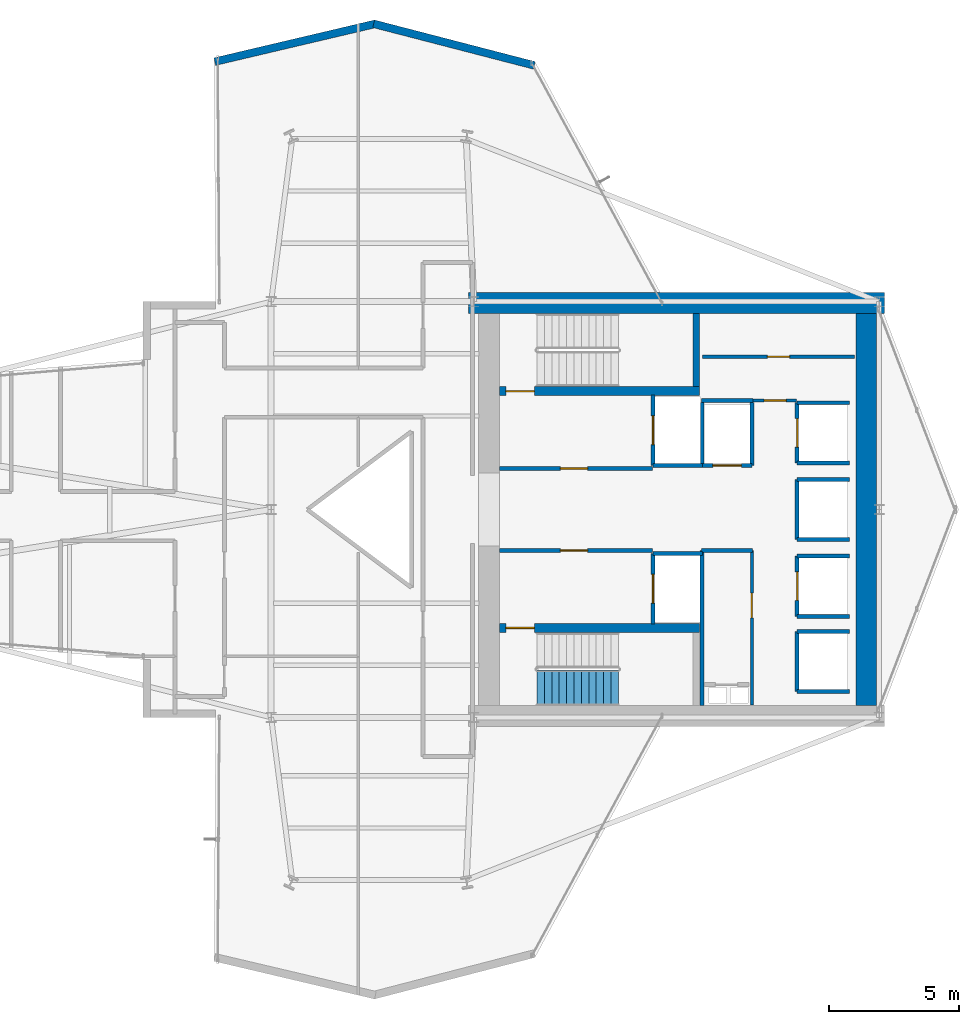
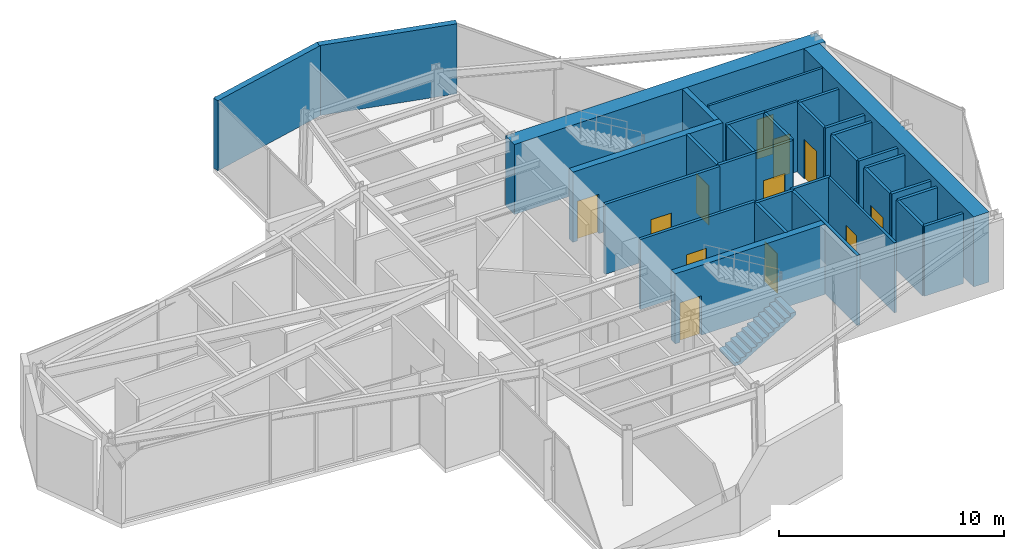
# One storey, part 24 of 26: 34 walls, 12 doors, 1 stair flight, 12 openings, 1 element without a shape of its own.
"""IFC4 building model written with IfcOpenShell, lengths in metres."""

from ifc_helpers import new_model, si_unit, direction, frame, frame_2d, origin, place, context, subcontext, project, spatial, polyline, rectangle, outline, extrude, material, layer, layer_set, type_object, element, fill, aggregate, save


model = new_model("IFC4")

# Units and contexts
model_context = context("Model", 3, precision=1e-05, world=origin(), true_north=direction((0.0, 1.0)))
body_context = subcontext(model_context, "Body", "Model", "MODEL_VIEW")
ifc_project = project(units=[si_unit("LENGTHUNIT", "METRE"), si_unit("AREAUNIT", "SQUARE_METRE"), si_unit("VOLUMEUNIT", "CUBIC_METRE"), si_unit("PLANEANGLEUNIT", "RADIAN"), si_unit("MASSUNIT", "GRAM", prefix="KILO")], contexts=[model_context])

# Site, building, storey
site_placement = place(None, origin())
site = spatial("IfcSite", under=ifc_project, at=site_placement, CompositionType="ELEMENT")
building_placement = place(site_placement, origin())
building = spatial("IfcBuilding", under=site, at=building_placement, Name="Veymaron Broadcast Tower", CompositionType="ELEMENT")
storey_placement = place(building_placement, frame((0.0, 0.0, 157.35009765625)))
storey = spatial("IfcBuildingStorey", under=building, at=storey_placement, Name="L36", CompositionType="ELEMENT", Elevation=157.35009765625)

# Walls
ifc_material_1 = material(Name="Precast concrete C40/50 with mineral-wool insulation", Category="concrete")
ifc_layer_1 = layer(ifc_material_1, 0.300048828125)
ifc_layer_set_1 = layer_set([ifc_layer_1], Name="Precast concrete C40/50 with mineral-wool insulation")
wall_type_1 = type_object("IfcWallType", Name="WALL-EXT-300", PredefinedType="STANDARD", material=ifc_layer_set_1)
wall_1_placement = place(storey_placement, frame((41.325439453125, 41.091796875, 0.0), z_axis=(0.0, 0.0, 1.0), x_axis=(-0.96801891639, 0.250877216005, 0.0)))
element("IfcWall", 1, at=wall_1_placement, inside=storey, type_object=wall_type_1, Name="L36 notched corner facade pier 6-1", PredefinedType="STANDARD", context=body_context, shape_type="SweptSolid", body=[
    extrude(rectangle(XDim=6.3837890625, YDim=0.300048828125, at=frame_2d((3.19189453125, 0.0))), origin(), (0.0, 0.0, 1.0), 3.809814453125),
])
wall_2_placement = place(storey_placement, frame((35.212890625, 42.6923828125, 0.0), z_axis=(0.0, 0.0, 1.0), x_axis=(-0.973355101444, -0.229302957882, 0.0)))
element("IfcWall", 2, at=wall_2_placement, inside=storey, type_object=wall_type_1, Name="L36 notched corner facade pier 7-1", PredefinedType="STANDARD", context=body_context, shape_type="SweptSolid", body=[
    extrude(rectangle(XDim=6.348876953125, YDim=0.300048828125, at=frame_2d((3.17431640625, 0.0))), origin(), (0.0, 0.0, 1.0), 3.809814453125),
])

# Wall, opening, door
ifc_material_2 = material(Name="Gypsum fireboard and steel stud framing", Category="steel")
ifc_layer_2 = layer(ifc_material_2, 0.14990234375)
ifc_layer_set_2 = layer_set([ifc_layer_2], Name="Gypsum fireboard and steel stud framing")
wall_type_2 = type_object("IfcWallType", Name="WALL-FIRE-150", PredefinedType="PARTITIONING", material=ifc_layer_set_2)
wall_3_placement = place(storey_placement, frame((39.97998046875, 25.574951171875, 0.0), z_axis=(0.0, 0.0, 1.0), x_axis=(1.0, 0.0, 0.0)))
wall_3 = element("IfcWall", 3, at=wall_3_placement, inside=storey, type_object=wall_type_2, Name="L36 partition IW-L36-FFLN-S", PredefinedType="PARTITIONING", context=body_context, shape_type="SweptSolid", body=[
    extrude(rectangle(XDim=5.89990234375, YDim=0.14990234375, at=frame_2d((2.949951171875, 0.0))), origin(), (0.0, 0.0, 1.0), 3.809814453125),
])
opening_1_placement = place(wall_3_placement, frame((2.35009765625, 0.0, 0.0)))
opening_1 = element("IfcOpeningElement", 4, at=opening_1_placement, cuts=wall_3, Name="Opening ID-FL1", PredefinedType="OPENING", context=body_context, shape_type="SweptSolid", body=[
    extrude(rectangle(XDim=1.050048828125, YDim=2.14990234375, at=frame_2d((0.52490234375, 1.074951171875))), frame((0.0, 0.0849609375, 0.0), z_axis=(0.0, -1.0, 0.0), x_axis=(1.0, 0.0, 0.0)), (0.0, 0.0, 1.0), 0.169921875),
])
ifc_material_3 = material(Name="Fire-rated painted hollow steel ASTM A653", Category="steel")
door_type_1 = type_object("IfcDoorType", Name="DOOR-FIRE-1050", OperationType="NOTDEFINED", PredefinedType="DOOR", material=ifc_material_3)
door_1_placement = place(opening_1_placement, origin())
door_1 = element("IfcDoor", 5, at=door_1_placement, inside=storey, type_object=door_type_1, Name="L36 door DR-L36-FFLN", OperationType="SINGLE_SWING_LEFT", OverallHeight=2.14990234375, OverallWidth=1.050048828125, PredefinedType="DOOR", context=body_context, shape_type="SweptSolid", body=[
    extrude(rectangle(XDim=1.050048828125, YDim=2.14990234375, at=frame_2d((0.52490234375, 1.074951171875))), frame((0.0, 0.02490234375, 0.0), z_axis=(0.0, -1.0, 0.0), x_axis=(1.0, 0.0, 0.0)), (0.0, 0.0, 1.0), 0.050048828125),
])
fill(opening_1, door_1)

wall_4_placement = place(storey_placement, frame((39.97998046875, 22.425048828125, 0.0), z_axis=(0.0, 0.0, 1.0), x_axis=(1.0, 0.0, 0.0)))
wall_4 = element("IfcWall", 6, at=wall_4_placement, inside=storey, type_object=wall_type_2, Name="L36 partition IW-L36-FFLS-N", PredefinedType="PARTITIONING", context=body_context, shape_type="SweptSolid", body=[
    extrude(rectangle(XDim=5.89990234375, YDim=0.14990234375, at=frame_2d((2.949951171875, 0.0))), origin(), (0.0, 0.0, 1.0), 3.809814453125),
])
opening_2_placement = place(wall_4_placement, frame((2.35009765625, 0.0, 0.0)))
opening_2 = element("IfcOpeningElement", 7, at=opening_2_placement, cuts=wall_4, Name="Opening ID-FL1", PredefinedType="OPENING", context=body_context, shape_type="SweptSolid", body=[
    extrude(rectangle(XDim=1.050048828125, YDim=2.14990234375, at=frame_2d((0.52490234375, 1.074951171875))), frame((0.0, 0.0849609375, 0.0), z_axis=(0.0, -1.0, 0.0), x_axis=(1.0, 0.0, 0.0)), (0.0, 0.0, 1.0), 0.169921875),
])
door_2_placement = place(opening_2_placement, frame((1.050048828125, 0.0, 0.0), z_axis=(0.0, 0.0, 1.0), x_axis=(-1.0, 0.0, 0.0)))
door_2 = element("IfcDoor", 8, at=door_2_placement, inside=storey, type_object=door_type_1, Name="L36 door DR-L36-FFLS", OperationType="SINGLE_SWING_RIGHT", OverallHeight=2.14990234375, OverallWidth=1.050048828125, PredefinedType="DOOR", context=body_context, shape_type="SweptSolid", body=[
    extrude(rectangle(XDim=1.050048828125, YDim=2.14990234375, at=frame_2d((0.52490234375, 1.074951171875))), frame((0.0, 0.02490234375, 0.0), z_axis=(0.0, -1.0, 0.0), x_axis=(1.0, 0.0, 0.0)), (0.0, 0.0, 1.0), 0.050048828125),
])
fill(opening_2, door_2)

wall_5_placement = place(storey_placement, frame((45.89501953125, 25.68994140625, 0.0), z_axis=(0.0, 0.0, 1.0), x_axis=(0.0, 1.0, 0.0)))
wall_5 = element("IfcWall", 9, at=wall_5_placement, inside=storey, type_object=wall_type_2, Name="L36 partition IW-L36-SHW-FFL-1", PredefinedType="PARTITIONING", context=body_context, shape_type="SweptSolid", body=[
    extrude(rectangle(XDim=2.719970703125, YDim=0.14990234375, at=frame_2d((1.35986328125, 0.0))), origin(), (0.0, 0.0, 1.0), 3.809814453125),
])
opening_3_placement = place(wall_5_placement, frame((0.81005859375, 0.0, 0.0)))
opening_3 = element("IfcOpeningElement", 10, at=opening_3_placement, cuts=wall_5, Name="Opening LD", PredefinedType="OPENING", context=body_context, shape_type="SweptSolid", body=[
    extrude(rectangle(XDim=1.10009765625, YDim=2.14990234375, at=frame_2d((0.550048828125, 1.074951171875))), frame((0.0, 0.0849609375, 0.0), z_axis=(0.0, -1.0, 0.0), x_axis=(1.0, 0.0, 0.0)), (0.0, 0.0, 1.0), 0.169921875),
])
ifc_material_4 = material(Name="Brushed stainless steel AISI 304", Category="steel")
door_type_2 = type_object("IfcDoorType", Name="DOOR-LIFT-1100", OperationType="DOUBLE_DOOR_SLIDING", PredefinedType="DOOR", material=ifc_material_4)
door_3_placement = place(opening_3_placement, frame((1.10009765625, 0.0, 0.0), z_axis=(0.0, 0.0, 1.0), x_axis=(-1.0, 0.0, 0.0)))
door_3 = element("IfcDoor", 11, at=door_3_placement, inside=storey, type_object=door_type_2, Name="L36 door LD-L36-FFL-1", OperationType="DOUBLE_DOOR_SLIDING", OverallHeight=2.14990234375, OverallWidth=1.10009765625, PredefinedType="DOOR", context=body_context, shape_type="SweptSolid", body=[
    extrude(rectangle(XDim=1.10009765625, YDim=2.14990234375, at=frame_2d((0.550048828125, 1.074951171875))), frame((0.0, 0.02490234375, 0.0), z_axis=(0.0, -1.0, 0.0), x_axis=(1.0, 0.0, 0.0)), (0.0, 0.0, 1.0), 0.050048828125),
])
fill(opening_3, door_3)

# Wall
wall_6_placement = place(storey_placement, frame((45.89501953125, 25.68994140625, 0.0), z_axis=(0.0, 0.0, 1.0), x_axis=(1.0, 0.0, 0.0)))
element("IfcWall", 12, at=wall_6_placement, inside=storey, type_object=wall_type_2, Name="L36 partition IW-L36-SHS-FFL-1", PredefinedType="PARTITIONING", context=body_context, shape_type="SweptSolid", body=[
    extrude(rectangle(XDim=1.9150390625, YDim=0.14990234375, at=frame_2d((0.95751953125, 0.0))), origin(), (0.0, 0.0, 1.0), 3.809814453125),
])

# Wall, opening, door
wall_7_placement = place(storey_placement, frame((45.89501953125, 19.590087890625, 0.0), z_axis=(0.0, 0.0, 1.0), x_axis=(0.0, 1.0, 0.0)))
wall_7 = element("IfcWall", 13, at=wall_7_placement, inside=storey, type_object=wall_type_2, Name="L36 partition IW-L36-SHW-FFL-2", PredefinedType="PARTITIONING", context=body_context, shape_type="SweptSolid", body=[
    extrude(rectangle(XDim=2.719970703125, YDim=0.14990234375, at=frame_2d((1.35986328125, 0.0))), origin(), (0.0, 0.0, 1.0), 3.809814453125),
])
opening_4_placement = place(wall_7_placement, frame((0.81005859375, 0.0, 0.0)))
opening_4 = element("IfcOpeningElement", 14, at=opening_4_placement, cuts=wall_7, Name="Opening LD", PredefinedType="OPENING", context=body_context, shape_type="SweptSolid", body=[
    extrude(rectangle(XDim=1.10009765625, YDim=2.14990234375, at=frame_2d((0.550048828125, 1.074951171875))), frame((0.0, 0.0849609375, 0.0), z_axis=(0.0, -1.0, 0.0), x_axis=(1.0, 0.0, 0.0)), (0.0, 0.0, 1.0), 0.169921875),
])
door_4_placement = place(opening_4_placement, frame((1.10009765625, 0.0, 0.0), z_axis=(0.0, 0.0, 1.0), x_axis=(-1.0, 0.0, 0.0)))
door_4 = element("IfcDoor", 15, at=door_4_placement, inside=storey, type_object=door_type_2, Name="L36 door LD-L36-FFL-2", OperationType="DOUBLE_DOOR_SLIDING", OverallHeight=2.14990234375, OverallWidth=1.10009765625, PredefinedType="DOOR", context=body_context, shape_type="SweptSolid", body=[
    extrude(rectangle(XDim=1.10009765625, YDim=2.14990234375, at=frame_2d((0.550048828125, 1.074951171875))), frame((0.0, 0.02490234375, 0.0), z_axis=(0.0, -1.0, 0.0), x_axis=(1.0, 0.0, 0.0)), (0.0, 0.0, 1.0), 0.050048828125),
])
fill(opening_4, door_4)

# Wall
wall_8_placement = place(storey_placement, frame((45.89501953125, 22.31005859375, 0.0), z_axis=(0.0, 0.0, 1.0), x_axis=(1.0, 0.0, 0.0)))
element("IfcWall", 16, at=wall_8_placement, inside=storey, type_object=wall_type_2, Name="L36 partition IW-L36-SHN-FFL-2", PredefinedType="PARTITIONING", context=body_context, shape_type="SweptSolid", body=[
    extrude(rectangle(XDim=1.9150390625, YDim=0.14990234375, at=frame_2d((0.95751953125, 0.0))), origin(), (0.0, 0.0, 1.0), 3.809814453125),
])

# Wall, opening, door
wall_9_placement = place(storey_placement, frame((47.7900390625, 25.695068359375, 0.0), z_axis=(0.0, 0.0, 1.0), x_axis=(1.0, 0.0, 0.0)))
wall_9 = element("IfcWall", 17, at=wall_9_placement, inside=storey, type_object=wall_type_2, Name="L36 partition IW-L36-SHS-SL-1", PredefinedType="PARTITIONING", context=body_context, shape_type="SweptSolid", body=[
    extrude(rectangle(XDim=1.919921875, YDim=0.14990234375, at=frame_2d((0.9599609375, 0.0))), origin(), (0.0, 0.0, 1.0), 3.809814453125),
])
opening_5_placement = place(wall_9_placement, frame((0.409912109375, 0.0, 0.0)))
opening_5 = element("IfcOpeningElement", 18, at=opening_5_placement, cuts=wall_9, Name="Opening LD", PredefinedType="OPENING", context=body_context, shape_type="SweptSolid", body=[
    extrude(rectangle(XDim=1.10009765625, YDim=2.14990234375, at=frame_2d((0.550048828125, 1.074951171875))), frame((0.0, 0.0849609375, 0.0), z_axis=(0.0, -1.0, 0.0), x_axis=(1.0, 0.0, 0.0)), (0.0, 0.0, 1.0), 0.169921875),
])
door_5_placement = place(opening_5_placement, frame((1.10009765625, 0.0, 0.0), z_axis=(0.0, 0.0, 1.0), x_axis=(-1.0, 0.0, 0.0)))
door_5 = element("IfcDoor", 19, at=door_5_placement, inside=storey, type_object=door_type_2, Name="L36 door LD-L36-SL-1", OperationType="DOUBLE_DOOR_SLIDING", OverallHeight=2.14990234375, OverallWidth=1.10009765625, PredefinedType="DOOR", context=body_context, shape_type="SweptSolid", body=[
    extrude(rectangle(XDim=1.10009765625, YDim=2.14990234375, at=frame_2d((0.550048828125, 1.074951171875))), frame((0.0, 0.02490234375, 0.0), z_axis=(0.0, -1.0, 0.0), x_axis=(1.0, 0.0, 0.0)), (0.0, 0.0, 1.0), 0.050048828125),
])
fill(opening_5, door_5)

# Walls
for number, where, z_axis, x_axis, name in (
    (20, (47.7900390625, 25.695068359375, 0.0), (0.0, 0.0, 1.0), (0.0, 1.0, 0.0), "L36 partition IW-L36-SHW-SL-1"),
    (21, (49.7099609375, 25.695068359375, 0.0), (0.0, 0.0, 1.0), (0.0, 1.0, 0.0), "L36 partition IW-L36-SHE-SL-1"),
):
    element("IfcWall", number, at=place(storey_placement, frame(where, z_axis=z_axis, x_axis=x_axis)), inside=storey, type_object=wall_type_2, Name=name, PredefinedType="PARTITIONING", context=body_context, shape_type="SweptSolid", body=[
        extrude(rectangle(XDim=2.4150390625, YDim=0.14990234375, at=frame_2d((1.20751953125, 0.0))), origin(), (0.0, 0.0, 1.0), 3.809814453125),
    ])

# Wall, opening, door
wall_10_placement = place(storey_placement, frame((51.445068359375, 25.7900390625, 0.0), z_axis=(0.0, 0.0, 1.0), x_axis=(0.0, 1.0, 0.0)))
wall_10 = element("IfcWall", 22, at=wall_10_placement, inside=storey, type_object=wall_type_2, Name="L36 partition IW-L36-SHW-PM1", PredefinedType="PARTITIONING", context=body_context, shape_type="SweptSolid", body=[
    extrude(rectangle(XDim=2.320068359375, YDim=0.14990234375, at=frame_2d((1.16015625, 0.0))), origin(), (0.0, 0.0, 1.0), 3.809814453125),
])
opening_6_placement = place(wall_10_placement, frame((0.610107421875, 0.0, 0.0)))
opening_6 = element("IfcOpeningElement", 23, at=opening_6_placement, cuts=wall_10, Name="Opening LD", PredefinedType="OPENING", context=body_context, shape_type="SweptSolid", body=[
    extrude(rectangle(XDim=1.10009765625, YDim=2.14990234375, at=frame_2d((0.550048828125, 1.074951171875))), frame((0.0, 0.0849609375, 0.0), z_axis=(0.0, -1.0, 0.0), x_axis=(1.0, 0.0, 0.0)), (0.0, 0.0, 1.0), 0.169921875),
])
door_6_placement = place(opening_6_placement, frame((1.10009765625, 0.0, 0.0), z_axis=(0.0, 0.0, 1.0), x_axis=(-1.0, 0.0, 0.0)))
door_6 = element("IfcDoor", 24, at=door_6_placement, inside=storey, type_object=door_type_2, Name="L36 door LD-L36-PM1", OperationType="DOUBLE_DOOR_SLIDING", OverallHeight=2.14990234375, OverallWidth=1.10009765625, PredefinedType="DOOR", context=body_context, shape_type="SweptSolid", body=[
    extrude(rectangle(XDim=1.10009765625, YDim=2.14990234375, at=frame_2d((0.550048828125, 1.074951171875))), frame((0.0, 0.02490234375, 0.0), z_axis=(0.0, -1.0, 0.0), x_axis=(1.0, 0.0, 0.0)), (0.0, 0.0, 1.0), 0.050048828125),
])
fill(opening_6, door_6)

# Walls
for number, where, z_axis, x_axis, name in (
    (25, (51.445068359375, 25.7900390625, 0.0), (0.0, 0.0, 1.0), (1.0, 0.0, 0.0), "L36 partition IW-L36-SHS-PM1"),
    (26, (51.445068359375, 28.110107421875, 0.0), (0.0, 0.0, 1.0), (1.0, 0.0, 0.0), "L36 partition IW-L36-SHN-PM1"),
):
    element("IfcWall", number, at=place(storey_placement, frame(where, z_axis=z_axis, x_axis=x_axis)), inside=storey, type_object=wall_type_2, Name=name, PredefinedType="PARTITIONING", context=body_context, shape_type="SweptSolid", body=[
        extrude(rectangle(XDim=2.014892578125, YDim=0.14990234375, at=frame_2d((1.00732421875, 0.0))), origin(), (0.0, 0.0, 1.0), 3.809814453125),
    ])

# Wall, opening, door
wall_11_placement = place(storey_placement, frame((51.445068359375, 19.889892578125, 0.0), z_axis=(0.0, 0.0, 1.0), x_axis=(0.0, 1.0, 0.0)))
wall_11 = element("IfcWall", 27, at=wall_11_placement, inside=storey, type_object=wall_type_2, Name="L36 partition IW-L36-SHW-PM2", PredefinedType="PARTITIONING", context=body_context, shape_type="SweptSolid", body=[
    extrude(rectangle(XDim=2.320068359375, YDim=0.14990234375, at=frame_2d((1.16015625, 0.0))), origin(), (0.0, 0.0, 1.0), 3.809814453125),
])
opening_7_placement = place(wall_11_placement, frame((0.610107421875, 0.0, 0.0)))
opening_7 = element("IfcOpeningElement", 28, at=opening_7_placement, cuts=wall_11, Name="Opening LD", PredefinedType="OPENING", context=body_context, shape_type="SweptSolid", body=[
    extrude(rectangle(XDim=1.10009765625, YDim=2.14990234375, at=frame_2d((0.550048828125, 1.074951171875))), frame((0.0, 0.0849609375, 0.0), z_axis=(0.0, -1.0, 0.0), x_axis=(1.0, 0.0, 0.0)), (0.0, 0.0, 1.0), 0.169921875),
])
door_7_placement = place(opening_7_placement, frame((1.10009765625, 0.0, 0.0), z_axis=(0.0, 0.0, 1.0), x_axis=(-1.0, 0.0, 0.0)))
door_7 = element("IfcDoor", 29, at=door_7_placement, inside=storey, type_object=door_type_2, Name="L36 door LD-L36-PM2", OperationType="DOUBLE_DOOR_SLIDING", OverallHeight=2.14990234375, OverallWidth=1.10009765625, PredefinedType="DOOR", context=body_context, shape_type="SweptSolid", body=[
    extrude(rectangle(XDim=1.10009765625, YDim=2.14990234375, at=frame_2d((0.550048828125, 1.074951171875))), frame((0.0, 0.02490234375, 0.0), z_axis=(0.0, -1.0, 0.0), x_axis=(1.0, 0.0, 0.0)), (0.0, 0.0, 1.0), 0.050048828125),
])
fill(opening_7, door_7)

# Walls
for number, where, z_axis, x_axis, name in (
    (30, (51.445068359375, 19.889892578125, 0.0), (0.0, 0.0, 1.0), (1.0, 0.0, 0.0), "L36 partition IW-L36-SHS-PM2"),
    (31, (51.445068359375, 22.2099609375, 0.0), (0.0, 0.0, 1.0), (1.0, 0.0, 0.0), "L36 partition IW-L36-SHN-PM2"),
):
    element("IfcWall", number, at=place(storey_placement, frame(where, z_axis=z_axis, x_axis=x_axis)), inside=storey, type_object=wall_type_2, Name=name, PredefinedType="PARTITIONING", context=body_context, shape_type="SweptSolid", body=[
        extrude(rectangle(XDim=2.014892578125, YDim=0.14990234375, at=frame_2d((1.00732421875, 0.0))), origin(), (0.0, 0.0, 1.0), 3.809814453125),
    ])
wall_12_placement = place(storey_placement, frame((51.445068359375, 22.840087890625, 0.0), z_axis=(0.0, 0.0, 1.0), x_axis=(0.0, 1.0, 0.0)))
element("IfcWall", 32, at=wall_12_placement, inside=storey, type_object=wall_type_2, Name="L36 partition IW-L36-SHW-PM3", PredefinedType="PARTITIONING", context=body_context, shape_type="SweptSolid", body=[
    extrude(rectangle(XDim=2.31982421875, YDim=0.14990234375, at=frame_2d((1.159912109375, 0.0))), origin(), (0.0, 0.0, 1.0), 3.809814453125),
])
for number, where, z_axis, x_axis, name in (
    (33, (51.445068359375, 22.840087890625, 0.0), (0.0, 0.0, 1.0), (1.0, 0.0, 0.0), "L36 partition IW-L36-SHS-PM3"),
    (34, (51.445068359375, 25.159912109375, 0.0), (0.0, 0.0, 1.0), (1.0, 0.0, 0.0), "L36 partition IW-L36-SHN-PM3"),
):
    element("IfcWall", number, at=place(storey_placement, frame(where, z_axis=z_axis, x_axis=x_axis)), inside=storey, type_object=wall_type_2, Name=name, PredefinedType="PARTITIONING", context=body_context, shape_type="SweptSolid", body=[
        extrude(rectangle(XDim=2.014892578125, YDim=0.14990234375, at=frame_2d((1.00732421875, 0.0))), origin(), (0.0, 0.0, 1.0), 3.809814453125),
    ])
wall_13_placement = place(storey_placement, frame((51.445068359375, 16.989990234375, 0.0), z_axis=(0.0, 0.0, 1.0), x_axis=(0.0, 1.0, 0.0)))
element("IfcWall", 35, at=wall_13_placement, inside=storey, type_object=wall_type_2, Name="L36 partition IW-L36-SHW-PH1", PredefinedType="PARTITIONING", context=body_context, shape_type="SweptSolid", body=[
    extrude(rectangle(XDim=2.320068359375, YDim=0.14990234375, at=frame_2d((1.16015625, 0.0))), origin(), (0.0, 0.0, 1.0), 3.809814453125),
])
for number, where, z_axis, x_axis, name in (
    (36, (51.445068359375, 16.989990234375, 0.0), (0.0, 0.0, 1.0), (1.0, 0.0, 0.0), "L36 partition IW-L36-SHS-PH1"),
    (37, (51.445068359375, 19.31005859375, 0.0), (0.0, 0.0, 1.0), (1.0, 0.0, 0.0), "L36 partition IW-L36-SHN-PH1"),
):
    element("IfcWall", number, at=place(storey_placement, frame(where, z_axis=z_axis, x_axis=x_axis)), inside=storey, type_object=wall_type_2, Name=name, PredefinedType="PARTITIONING", context=body_context, shape_type="SweptSolid", body=[
        extrude(rectangle(XDim=2.014892578125, YDim=0.14990234375, at=frame_2d((1.00732421875, 0.0))), origin(), (0.0, 0.0, 1.0), 3.809814453125),
    ])
wall_14_placement = place(storey_placement, frame((47.760009765625, 22.425048828125, 0.0), z_axis=(0.0, 0.0, 1.0), x_axis=(1.0, 0.0, 0.0)))
element("IfcWall", 38, at=wall_14_placement, inside=storey, type_object=wall_type_2, Name="L36 partition IW-L36-SM-N", PredefinedType="PARTITIONING", context=body_context, shape_type="SweptSolid", body=[
    extrude(rectangle(XDim=1.9599609375, YDim=0.14990234375, at=frame_2d((0.97998046875, 0.0))), origin(), (0.0, 0.0, 1.0), 3.809814453125),
])
wall_15_placement = place(storey_placement, frame((47.780029296875, 16.449951171875, 0.0), z_axis=(0.0, 0.0, 1.0), x_axis=(0.0, 1.0, 0.0)))
element("IfcWall", 39, at=wall_15_placement, inside=storey, type_object=wall_type_2, Name="L36 partition IW-L36-SM-W", PredefinedType="PARTITIONING", context=body_context, shape_type="SweptSolid", body=[
    extrude(rectangle(XDim=5.97509765625, YDim=0.14990234375, at=frame_2d((2.987548828125, 0.0))), origin(), (0.0, 0.0, 1.0), 3.809814453125),
])
wall_16_placement = place(storey_placement, frame((47.760009765625, 28.199951171875, 0.0), z_axis=(0.0, 0.0, 1.0), x_axis=(1.0, 0.0, 0.0)))
element("IfcWall", 40, at=wall_16_placement, inside=storey, type_object=wall_type_2, Name="L36 partition IW-L36-F1-SW", PredefinedType="PARTITIONING", context=body_context, shape_type="SweptSolid", body=[
    extrude(rectangle(XDim=1.989990234375, YDim=0.14990234375, at=frame_2d((0.9951171875, 0.0))), origin(), (0.0, 0.0, 1.0), 3.809814453125),
])

# Wall, opening, door
ifc_material_5 = material(Name="Acoustic gypsum board and galvanized stud", Category="gypsum")
ifc_layer_3 = layer(ifc_material_5, 0.1201171875)
ifc_layer_set_3 = layer_set([ifc_layer_3], Name="Acoustic gypsum board and galvanized stud")
wall_type_3 = type_object("IfcWallType", Name="WALL-PART-120", PredefinedType="PARTITIONING", material=ifc_layer_set_3)
wall_17_placement = place(storey_placement, frame((49.699951171875, 16.47998046875, 0.0), z_axis=(0.0, 0.0, 1.0), x_axis=(0.0, 1.0, 0.0)))
wall_17 = element("IfcWall", 41, at=wall_17_placement, inside=storey, type_object=wall_type_3, Name="L36 partition IW-L36-SM-E", PredefinedType="PARTITIONING", context=body_context, shape_type="SweptSolid", body=[
    extrude(rectangle(XDim=5.945068359375, YDim=0.1201171875, at=frame_2d((2.97265625, 0.0))), origin(), (0.0, 0.0, 1.0), 3.809814453125),
])
opening_8_placement = place(wall_17_placement, frame((3.35009765625, 0.0, 0.0)))
opening_8 = element("IfcOpeningElement", 42, at=opening_8_placement, cuts=wall_17, Name="Opening ID-RM1", PredefinedType="OPENING", context=body_context, shape_type="SweptSolid", body=[
    extrude(rectangle(XDim=0.949951171875, YDim=2.14990234375, at=frame_2d((0.47509765625, 1.074951171875))), frame((0.0, 0.070068359375, 0.0), z_axis=(0.0, -1.0, 0.0), x_axis=(1.0, 0.0, 0.0)), (0.0, 0.0, 1.0), 0.14013671875),
])
ifc_material_6 = material(Name="Acoustic solid-core European oak veneer timber", Category="wood")
door_type_3 = type_object("IfcDoorType", Name="DOOR-INT-950", OperationType="NOTDEFINED", PredefinedType="DOOR", material=ifc_material_6)
door_8_placement = place(opening_8_placement, frame((0.949951171875, 0.0, 0.0), z_axis=(0.0, 0.0, 1.0), x_axis=(-1.0, 0.0, 0.0)))
door_8 = element("IfcDoor", 43, at=door_8_placement, inside=storey, type_object=door_type_3, Name="L36 door DR-L36-AWC", OperationType="SINGLE_SWING_LEFT", OverallHeight=2.14990234375, OverallWidth=0.949951171875, PredefinedType="DOOR", context=body_context, shape_type="SweptSolid", body=[
    extrude(rectangle(XDim=0.949951171875, YDim=2.14990234375, at=frame_2d((0.47509765625, 1.074951171875))), frame((0.0, 0.02490234375, 0.0), z_axis=(0.0, -1.0, 0.0), x_axis=(1.0, 0.0, 0.0)), (0.0, 0.0, 1.0), 0.050048828125),
])
fill(opening_8, door_8)

wall_18_placement = place(storey_placement, frame((49.75, 28.199951171875, 0.0), z_axis=(0.0, 0.0, 1.0), x_axis=(1.0, 0.0, 0.0)))
wall_18 = element("IfcWall", 44, at=wall_18_placement, inside=storey, type_object=wall_type_3, Name="L36 partition IW-L36-F1-S", PredefinedType="PARTITIONING", context=body_context, shape_type="SweptSolid", body=[
    extrude(rectangle(XDim=1.669921875, YDim=0.1201171875, at=frame_2d((0.8349609375, 0.0))), origin(), (0.0, 0.0, 1.0), 3.809814453125),
])
opening_9_placement = place(wall_18_placement, frame((0.419921875, 0.0, 0.0)))
opening_9 = element("IfcOpeningElement", 45, at=opening_9_placement, cuts=wall_18, Name="Opening ID-WC1", PredefinedType="OPENING", context=body_context, shape_type="SweptSolid", body=[
    extrude(rectangle(XDim=0.85009765625, YDim=2.14990234375, at=frame_2d((0.425048828125, 1.074951171875))), frame((0.0, 0.070068359375, 0.0), z_axis=(0.0, -1.0, 0.0), x_axis=(1.0, 0.0, 0.0)), (0.0, 0.0, 1.0), 0.14013671875),
])
ifc_material_7 = material(Name="Moisture-resistant high-pressure laminate timber", Category="wood")
door_type_4 = type_object("IfcDoorType", Name="DOOR-INT-850", OperationType="NOTDEFINED", PredefinedType="DOOR", material=ifc_material_7)
door_9_placement = place(opening_9_placement, origin())
door_9 = element("IfcDoor", 46, at=door_9_placement, inside=storey, type_object=door_type_4, Name="L36 door DR-L36-F1A", OperationType="SINGLE_SWING_LEFT", OverallHeight=2.14990234375, OverallWidth=0.85009765625, PredefinedType="DOOR", context=body_context, shape_type="SweptSolid", body=[
    extrude(rectangle(XDim=0.85009765625, YDim=2.14990234375, at=frame_2d((0.425048828125, 1.074951171875))), frame((0.0, 0.02490234375, 0.0), z_axis=(0.0, -1.0, 0.0), x_axis=(1.0, 0.0, 0.0)), (0.0, 0.0, 1.0), 0.050048828125),
])
fill(opening_9, door_9)

wall_19_placement = place(storey_placement, frame((47.800048828125, 29.8798828125, 0.0), z_axis=(0.0, 0.0, 1.0), x_axis=(1.0, 0.0, 0.0)))
wall_19 = element("IfcWall", 47, at=wall_19_placement, inside=storey, type_object=wall_type_3, Name="L36 partition IW-L36-F1-MY", PredefinedType="PARTITIONING", context=body_context, shape_type="SweptSolid", body=[
    extrude(rectangle(XDim=5.85986328125, YDim=0.1201171875, at=frame_2d((2.929931640625, 0.0))), origin(), (0.0, 0.0, 1.0), 3.809814453125),
])
opening_10_placement = place(wall_19_placement, frame((2.5, 0.0, 0.0)))
opening_10 = element("IfcOpeningElement", 48, at=opening_10_placement, cuts=wall_19, Name="Opening ID-WC1", PredefinedType="OPENING", context=body_context, shape_type="SweptSolid", body=[
    extrude(rectangle(XDim=0.85009765625, YDim=2.14990234375, at=frame_2d((0.425048828125, 1.074951171875))), frame((0.0, 0.070068359375, 0.0), z_axis=(0.0, -1.0, 0.0), x_axis=(1.0, 0.0, 0.0)), (0.0, 0.0, 1.0), 0.14013671875),
])
door_10_placement = place(opening_10_placement, origin())
door_10 = element("IfcDoor", 49, at=door_10_placement, inside=storey, type_object=door_type_4, Name="L36 door DR-L36-F1B", OperationType="SINGLE_SWING_RIGHT", OverallHeight=2.14990234375, OverallWidth=0.85009765625, PredefinedType="DOOR", context=body_context, shape_type="SweptSolid", body=[
    extrude(rectangle(XDim=0.85009765625, YDim=2.14990234375, at=frame_2d((0.425048828125, 1.074951171875))), frame((0.0, 0.02490234375, 0.0), z_axis=(0.0, -1.0, 0.0), x_axis=(1.0, 0.0, 0.0)), (0.0, 0.0, 1.0), 0.050048828125),
])
fill(opening_10, door_10)

# Wall
ifc_material_8 = material(Name="Concrete C50/60", Category="concrete")
ifc_layer_4 = layer(ifc_material_8, 0.25)
ifc_layer_set_4 = layer_set([ifc_layer_4], Name="Concrete C50/60")
wall_type_4 = type_object("IfcWallType", Name="WALL-SHEAR-250", PredefinedType="SHEAR", material=ifc_layer_set_4)
wall_20_placement = place(storey_placement, frame((47.56494140625, 28.72998046875, 0.0), z_axis=(0.0, 0.0, 1.0), x_axis=(0.0, 1.0, 0.0)))
element("IfcWall", 50, at=wall_20_placement, inside=storey, type_object=wall_type_4, Name="L36 Core Wall north stair east shear", PredefinedType="SHEAR", context=body_context, shape_type="SweptSolid", body=[
    extrude(rectangle(XDim=2.820068359375, YDim=0.25, at=frame_2d((1.41015625, 0.0))), origin(), (0.0, 0.0, 1.0), 3.809814453125),
])

# Wall, opening, door
ifc_layer_5 = layer(ifc_material_8, 0.35009765625)
ifc_layer_set_5 = layer_set([ifc_layer_5], Name="Concrete C50/60")
wall_type_5 = type_object("IfcWallType", Name="WALL-SHEAR-350", PredefinedType="SHEAR", material=ifc_layer_set_5)
wall_21_placement = place(storey_placement, frame((39.97998046875, 28.554931640625, 0.0), z_axis=(0.0, 0.0, 1.0), x_axis=(1.0, 0.0, 0.0)))
wall_21 = element("IfcWall", 51, at=wall_21_placement, inside=storey, type_object=wall_type_5, Name="L36 Core Wall north stair spine", PredefinedType="SHEAR", context=body_context, shape_type="SweptSolid", body=[
    extrude(rectangle(XDim=7.7099609375, YDim=0.35009765625, at=frame_2d((3.85498046875, 0.0))), origin(), (0.0, 0.0, 1.0), 3.809814453125),
])
opening_11_placement = place(wall_21_placement, frame((0.25, 0.0, 0.0)))
opening_11 = element("IfcOpeningElement", 52, at=opening_11_placement, cuts=wall_21, Name="Opening ID-ST1", PredefinedType="OPENING", context=body_context, shape_type="SweptSolid", body=[
    extrude(rectangle(XDim=1.10009765625, YDim=2.14990234375, at=frame_2d((0.550048828125, 1.074951171875))), frame((0.0, 0.18505859375, 0.0), z_axis=(0.0, -1.0, 0.0), x_axis=(1.0, 0.0, 0.0)), (0.0, 0.0, 1.0), 0.3701171875),
])
door_type_5 = type_object("IfcDoorType", Name="DOOR-STAIR-1100", OperationType="NOTDEFINED", PredefinedType="DOOR", material=ifc_material_3)
door_11_placement = place(opening_11_placement, origin())
door_11 = element("IfcDoor", 53, at=door_11_placement, inside=storey, type_object=door_type_5, Name="L36 exit stair ST1 fire door", OperationType="SINGLE_SWING_LEFT", OverallHeight=2.14990234375, OverallWidth=1.10009765625, PredefinedType="DOOR", context=body_context, shape_type="SweptSolid", body=[
    extrude(rectangle(XDim=1.10009765625, YDim=2.14990234375, at=frame_2d((0.550048828125, 1.074951171875))), frame((0.0, 0.02490234375, 0.0), z_axis=(0.0, -1.0, 0.0), x_axis=(1.0, 0.0, 0.0)), (0.0, 0.0, 1.0), 0.050048828125),
])
fill(opening_11, door_11)

wall_22_placement = place(storey_placement, frame((39.97998046875, 19.445068359375, 0.0), z_axis=(0.0, 0.0, 1.0), x_axis=(1.0, 0.0, 0.0)))
wall_22 = element("IfcWall", 54, at=wall_22_placement, inside=storey, type_object=wall_type_5, Name="L36 Core Wall south stair spine", PredefinedType="SHEAR", context=body_context, shape_type="SweptSolid", body=[
    extrude(rectangle(XDim=7.7099609375, YDim=0.35009765625, at=frame_2d((3.85498046875, 0.0))), origin(), (0.0, 0.0, 1.0), 3.809814453125),
])
opening_12_placement = place(wall_22_placement, frame((0.25, 0.0, 0.0)))
opening_12 = element("IfcOpeningElement", 55, at=opening_12_placement, cuts=wall_22, Name="Opening ID-ST1", PredefinedType="OPENING", context=body_context, shape_type="SweptSolid", body=[
    extrude(rectangle(XDim=1.10009765625, YDim=2.14990234375, at=frame_2d((0.550048828125, 1.074951171875))), frame((0.0, 0.18505859375, 0.0), z_axis=(0.0, -1.0, 0.0), x_axis=(1.0, 0.0, 0.0)), (0.0, 0.0, 1.0), 0.3701171875),
])
door_12_placement = place(opening_12_placement, frame((1.10009765625, 0.0, 0.0), z_axis=(0.0, 0.0, 1.0), x_axis=(-1.0, 0.0, 0.0)))
door_12 = element("IfcDoor", 56, at=door_12_placement, inside=storey, type_object=door_type_5, Name="L36 exit stair ST2 fire door", OperationType="SINGLE_SWING_RIGHT", OverallHeight=2.14990234375, OverallWidth=1.10009765625, PredefinedType="DOOR", context=body_context, shape_type="SweptSolid", body=[
    extrude(rectangle(XDim=1.10009765625, YDim=2.14990234375, at=frame_2d((0.550048828125, 1.074951171875))), frame((0.0, 0.02490234375, 0.0), z_axis=(0.0, -1.0, 0.0), x_axis=(1.0, 0.0, 0.0)), (0.0, 0.0, 1.0), 0.050048828125),
])
fill(opening_12, door_12)

# Walls
ifc_material_9 = material(Name="Concrete C60/75", Category="concrete")
ifc_layer_6 = layer(ifc_material_9, 0.800048828125)
ifc_layer_set_6 = layer_set([ifc_layer_6], Name="Concrete C60/75")
wall_type_6 = type_object("IfcWallType", Name="WALL-SHEAR-800", PredefinedType="SHEAR", material=ifc_layer_set_6)
wall_23_placement = place(storey_placement, frame((38.800048828125, 31.949951171875, 0.0), z_axis=(0.0, 0.0, 1.0), x_axis=(1.0, 0.0, 0.0)))
element("IfcWall", 57, at=wall_23_placement, inside=storey, type_object=wall_type_6, Name="L36 Core Wall north shear", PredefinedType="SHEAR", context=body_context, shape_type="SweptSolid", body=[
    extrude(rectangle(XDim=16.0, YDim=0.800048828125, at=frame_2d((8.0, 0.0))), origin(), (0.0, 0.0, 1.0), 3.809814453125),
])
wall_24_placement = place(storey_placement, frame((54.10009765625, 16.449951171875, 0.0), z_axis=(0.0, 0.0, 1.0), x_axis=(0.0, 1.0, 0.0)))
element("IfcWall", 58, at=wall_24_placement, inside=storey, type_object=wall_type_6, Name="L36 Core Wall east shear", PredefinedType="SHEAR", context=body_context, shape_type="SweptSolid", body=[
    extrude(rectangle(XDim=15.10009765625, YDim=0.800048828125, at=frame_2d((7.550048828125, 0.0))), origin(), (0.0, 0.0, 1.0), 3.809814453125),
])

# Stair, stair flight
stair_type = type_object("IfcStairType", Name="STAIR-CORE-2", PredefinedType="HALF_TURN_STAIR", material=ifc_material_8)
stair_placement = place(storey_placement, origin())
stair = element("IfcStair", 59, at=stair_placement, inside=storey, type_object=stair_type, Name="L36 South protected dog-leg exit stair ST2", PredefinedType="HALF_TURN_STAIR")
ifc_material_10 = material(Name="Precast concrete C50/60", Category="concrete")
stair_flight_type = type_object("IfcStairFlightType", Name="FLT-CORE-RC", PredefinedType="STRAIGHT", material=ifc_material_10)
stair_flight_placement = place(storey_placement, frame((41.429931640625, 17.139892578125, 0.0), z_axis=(0.0, 0.0, 1.0), x_axis=(1.0, 0.0, 0.0)))
stair_flight = element("IfcStairFlight", 60, at=stair_flight_placement, type_object=stair_flight_type, Name="ST2 flight 1", NumberOfRisers=12, NumberOfTreads=11, PredefinedType="STRAIGHT", RiserHeight=0.16875, TreadLength=0.285, context=body_context, shape_type="SweptSolid", body=[
    extrude(outline(polyline([(0.0, 0.0), (0.0, 0.168701171875), (0.284912109375, 0.168701171875), (0.284912109375, 0.33740234375), (0.570068359375, 0.33740234375), (0.570068359375, 0.50634765625), (0.85498046875, 0.50634765625), (0.85498046875, 0.675048828125), (1.139892578125, 0.675048828125), (1.139892578125, 0.84375), (1.425048828125, 0.84375), (1.425048828125, 1.012451171875), (1.7099609375, 1.012451171875), (1.7099609375, 1.18115234375), (1.9951171875, 1.18115234375), (1.9951171875, 1.35009765625), (2.280029296875, 1.35009765625), (2.280029296875, 1.518798828125), (2.56494140625, 1.518798828125), (2.56494140625, 1.6875), (2.85009765625, 1.6875), (2.85009765625, 1.856201171875), (3.135009765625, 1.856201171875), (3.135009765625, 2.02490234375), (3.135009765625, 1.68212890625), (0.294189453125, 0.0), (0.0, 0.0)])), frame((0.0, 0.68994140625, 0.0), z_axis=(0.0, -1.0, 0.0), x_axis=(1.0, 0.0, 0.0)), (0.0, 0.0, 1.0), 1.3798828125),
])
aggregate(stair, [stair_flight])

save(model, "model.ifc")
